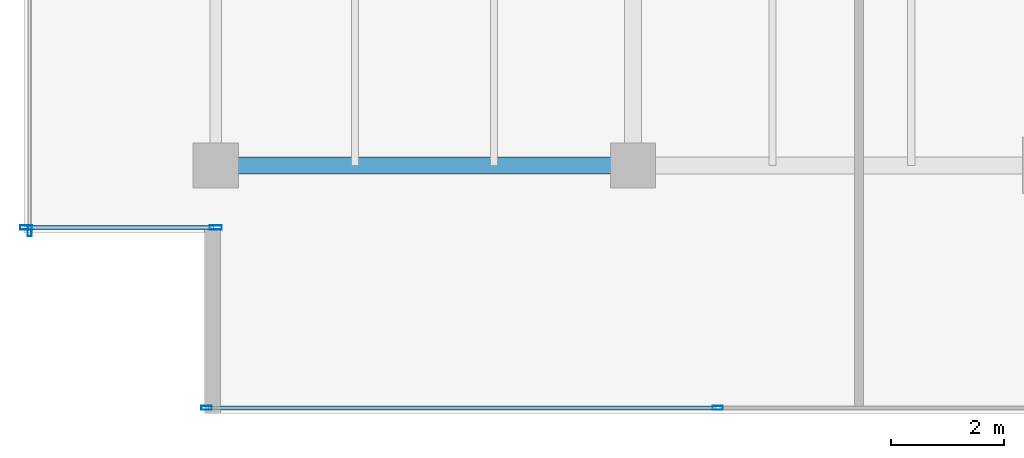
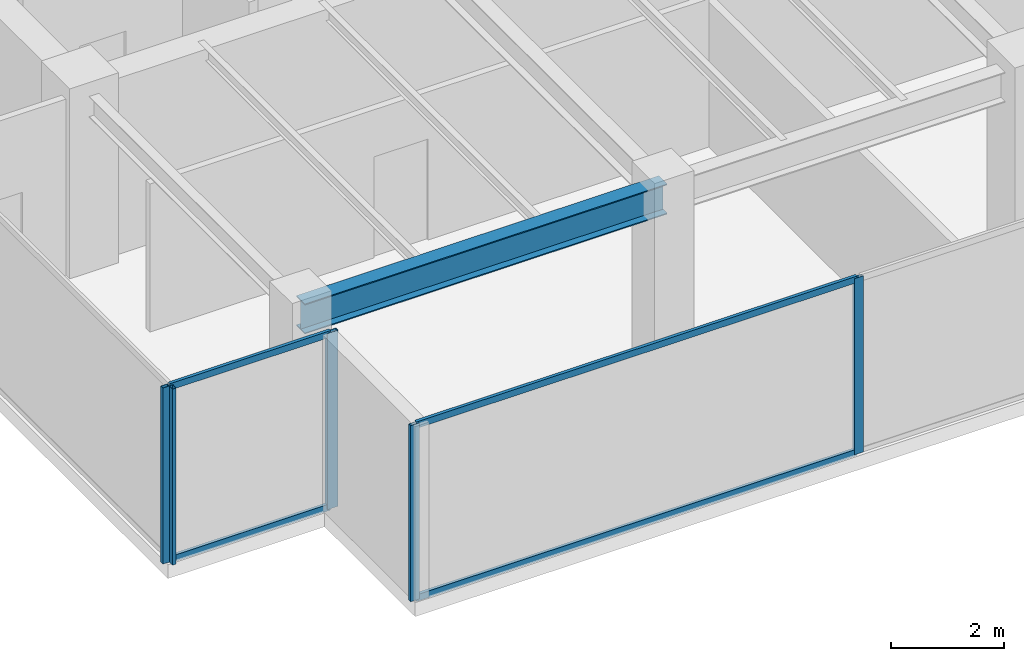
# One storey, part 5 of 33: 9 members, 1 beam, 3 elements without a shape of their own.
"""IFC4 building model written with IfcOpenShell, lengths in metres."""

from ifc_helpers import new_model, si_unit, direction, frame, origin, origin_2d, place, context, subcontext, project, spatial, hollow_rectangle, i_section, extrude, source, transform, mapped, material, layer, layer_set, material_profile, profile_set, type_object, type_shapes, element, aggregate, save


model = new_model("IFC4")

# Units and contexts
model_context = context("Model", 3, precision=1e-05, world=origin(), true_north=direction((0.0, 1.0)))
body_context = subcontext(model_context, "Body", "Model", "MODEL_VIEW")
ifc_project = project(units=[si_unit("LENGTHUNIT", "METRE"), si_unit("AREAUNIT", "SQUARE_METRE"), si_unit("VOLUMEUNIT", "CUBIC_METRE"), si_unit("PLANEANGLEUNIT", "RADIAN"), si_unit("MASSUNIT", "GRAM", prefix="KILO")], contexts=[model_context])

# Site, building, storey
site_placement = place(None, origin())
site = spatial("IfcSite", under=ifc_project, at=site_placement, CompositionType="ELEMENT")
building_placement = place(site_placement, origin())
building = spatial("IfcBuilding", under=site, at=building_placement, Name="Haelvirn Gate Laboratories", CompositionType="ELEMENT")
storey_placement = place(building_placement, frame((0.0, 0.0, 258.800048828125)))
storey = spatial("IfcBuildingStorey", under=building, at=storey_placement, Name="L62", CompositionType="ELEMENT", Elevation=258.800048828125)

# Beam
ifc_material_1 = material(Name="Steel SM355", Category="steel")
ifc_material_profile_1 = material_profile(ifc_material_1, i_section(OverallWidth=0.300048828125, OverallDepth=0.64990234375, WebThickness=0.012939453125, FlangeThickness=0.02197265625, at=origin_2d()), Name="H-650x300x13x22")
ifc_profile_set_1 = profile_set([ifc_material_profile_1], Name="Steel SM355")
beam_type = type_object("IfcBeamType", Name="BM-G-650", PredefinedType="BEAM", material=ifc_profile_set_1)
shared_shape_1 = source(origin(), body_context, "Body", "SweptSolid", [
    extrude(i_section(OverallWidth=0.300048828125, OverallDepth=0.64990234375, WebThickness=0.012939453125, FlangeThickness=0.02197265625, at=origin_2d()), origin(), (0.0, 0.0, 1.0), 7.400146484375),
])
type_shapes(beam_type, [shared_shape_1])
beam_placement = place(storey_placement, frame((7.39990234375, 7.0, 3.474853515625), z_axis=(1.0, 0.0, 0.0), x_axis=(0.0, 1.0, 0.0)))
element("IfcBeam", 1, at=beam_placement, inside=storey, type_object=beam_type, Name="L62 Primary Girder Y7.0 (7.4-14.8)", PredefinedType="BEAM", context=body_context, shape_type="MappedRepresentation", body=[
    mapped(shared_shape_1, transform((0.0, 0.0, 0.0), scale=1.0)),
])

# Curtain wall, members
ifc_material_2 = material(Name="Anodised bronze unitised aluminium & triple low-E glass", Category="aluminium")
ifc_layer_1 = layer(ifc_material_2, 0.181884765625, Name="CW-SYS-5")
ifc_layer_set_1 = layer_set([ifc_layer_1], Name="Anodised bronze unitised aluminium & triple low-E glass")
curtain_wall_type_1 = type_object("IfcCurtainWallType", Name="CW-SYS-5", PredefinedType="NOTDEFINED", material=ifc_layer_set_1)
curtain_wall_1_placement = place(storey_placement, origin())
curtain_wall_1 = element("IfcCurtainWall", 2, at=curtain_wall_1_placement, inside=storey, type_object=curtain_wall_type_1, Name="L62 Unitised Curtain Wall CW-L62-P0-E18-1", PredefinedType="NOTDEFINED")
ifc_material_3 = material(Name="Extruded aluminium 6063-T6 (anodised bronze)", Category="aluminium")
ifc_material_profile_2 = material_profile(ifc_material_3, hollow_rectangle(XDim=0.06494140625, YDim=0.139892578125, WallThickness=0.00390625, at=origin_2d()), Name="CWT-140x65x4")
ifc_profile_set_2 = profile_set([ifc_material_profile_2], Name="Extruded aluminium 6063-T6 (anodised bronze)")
member_type_1 = type_object("IfcMemberType", Name="CWT-T140", PredefinedType="USERDEFINED", material=ifc_profile_set_2)
shared_shape_2 = source(origin(), body_context, "Body", "SweptSolid", [
    extrude(hollow_rectangle(XDim=0.06494140625, YDim=0.139892578125, WallThickness=0.00390625, at=origin_2d()), origin(), (0.0, 0.0, 1.0), 3.280029296875),
])
member_1_placement = place(storey_placement, frame((4.080078125, 5.89990234375, 0.032470703125), z_axis=(1.0, 0.0, 0.0), x_axis=(0.0, 1.0, 0.0)))
member_1 = element("IfcMember", 3, at=member_1_placement, type_object=member_type_1, Name="CW5 transom 1.1", ObjectType="TRANSOM", PredefinedType="USERDEFINED", context=body_context, shape_type="MappedRepresentation", body=[
    mapped(shared_shape_2, transform((0.0, 0.0, 0.0), scale=1.0)),
])
member_2_placement = place(storey_placement, frame((4.080078125, 5.89990234375, 3.767333984375), z_axis=(1.0, 0.0, 0.0), x_axis=(0.0, 1.0, 0.0)))
member_2 = element("IfcMember", 4, at=member_2_placement, type_object=member_type_1, Name="CW5 transom 1.2", ObjectType="TRANSOM", PredefinedType="USERDEFINED", context=body_context, shape_type="MappedRepresentation", body=[
    mapped(shared_shape_2, transform((0.0, 0.0, 0.0), scale=1.0)),
])

ifc_layer_2 = layer(ifc_material_2, 0.176025390625, Name="CW-SYS-4")
ifc_layer_set_2 = layer_set([ifc_layer_2], Name="Anodised bronze unitised aluminium & triple low-E glass")
curtain_wall_type_2 = type_object("IfcCurtainWallType", Name="CW-SYS-4", PredefinedType="NOTDEFINED", material=ifc_layer_set_2)
curtain_wall_2_placement = place(storey_placement, origin())
curtain_wall_2 = element("IfcCurtainWall", 5, at=curtain_wall_2_placement, inside=storey, type_object=curtain_wall_type_2, Name="L62 Unitised Curtain Wall CW-L62-P0-E00-1", PredefinedType="NOTDEFINED")
ifc_material_profile_3 = material_profile(ifc_material_3, hollow_rectangle(XDim=0.070068359375, YDim=0.179931640625, WallThickness=0.0048828125, at=origin_2d()), Name="CWM-180x70x5")
ifc_profile_set_3 = profile_set([ifc_material_profile_3], Name="Extruded aluminium 6063-T6 (anodised bronze)")
member_type_2 = type_object("IfcMemberType", Name="CWM-T180", PredefinedType="MULLION", material=ifc_profile_set_3)
shared_shape_3 = source(origin(), body_context, "Body", "SweptSolid", [
    extrude(hollow_rectangle(XDim=0.070068359375, YDim=0.179931640625, WallThickness=0.0048828125, at=origin_2d()), origin(), (0.0, 0.0, 1.0), 3.800048828125),
])
type_shapes(member_type_2, [shared_shape_3])
member_3_placement = place(storey_placement, frame((7.235107421875, 2.699951171875, 0.0), z_axis=(0.0, 0.0, 1.0), x_axis=(0.0, 1.0, 0.0)))
member_3 = element("IfcMember", 6, at=member_3_placement, type_object=member_type_2, Name="CW4 mullion 1", PredefinedType="MULLION", context=body_context, shape_type="MappedRepresentation", body=[
    mapped(shared_shape_3, transform((0.0, 0.0, 0.0), scale=1.0)),
])
member_4_placement = place(storey_placement, frame((16.300048828125, 2.699951171875, 0.0), z_axis=(0.0, 0.0, 1.0), x_axis=(0.0, 1.0, 0.0)))
member_4 = element("IfcMember", 7, at=member_4_placement, type_object=member_type_2, Name="CW4 mullion 2", PredefinedType="MULLION", context=body_context, shape_type="MappedRepresentation", body=[
    mapped(shared_shape_3, transform((0.0, 0.0, 0.0), scale=1.0)),
])

# Curtain wall, member
curtain_wall_3_placement = place(storey_placement, origin())
curtain_wall_3 = element("IfcCurtainWall", 8, at=curtain_wall_3_placement, inside=storey, type_object=curtain_wall_type_2, Name="L62 Unitised Curtain Wall CW-L62-P0-E17", PredefinedType="NOTDEFINED")
member_5_placement = place(storey_placement, frame((4.10009765625, 5.8349609375, 0.0), z_axis=(0.0, 0.0, 1.0), x_axis=(1.0, 0.0, 0.0)))
member_5 = element("IfcMember", 9, at=member_5_placement, type_object=member_type_2, Name="CW4 mullion 3", PredefinedType="MULLION", context=body_context, shape_type="MappedRepresentation", body=[
    mapped(shared_shape_3, transform((0.0, 0.0, 0.0), scale=1.0)),
])
aggregate(curtain_wall_3, [member_5])

# Member
shared_shape_4 = source(origin(), body_context, "Body", "SweptSolid", [
    extrude(hollow_rectangle(XDim=0.06494140625, YDim=0.139892578125, WallThickness=0.00390625, at=origin_2d()), origin(), (0.0, 0.0, 1.0), 8.994873046875),
])
type_shapes(member_type_1, [shared_shape_2, shared_shape_4])
member_6_placement = place(storey_placement, frame((7.27001953125, 2.699951171875, 0.032470703125), z_axis=(1.0, 0.0, 0.0), x_axis=(0.0, 1.0, 0.0)))
member_6 = element("IfcMember", 10, at=member_6_placement, type_object=member_type_1, Name="CW4 transom 1.1", ObjectType="TRANSOM", PredefinedType="USERDEFINED", context=body_context, shape_type="MappedRepresentation", body=[
    mapped(shared_shape_4, transform((0.0, 0.0, 0.0), scale=1.0)),
])

member_7_placement = place(storey_placement, frame((7.27001953125, 2.699951171875, 3.767333984375), z_axis=(1.0, 0.0, 0.0), x_axis=(0.0, 1.0, 0.0)))
member_7 = element("IfcMember", 11, at=member_7_placement, type_object=member_type_1, Name="CW4 transom 1.2", ObjectType="TRANSOM", PredefinedType="USERDEFINED", context=body_context, shape_type="MappedRepresentation", body=[
    mapped(shared_shape_4, transform((0.0, 0.0, 0.0), scale=1.0)),
])

aggregate(curtain_wall_2, [member_3, member_4, member_6, member_7])

ifc_material_profile_4 = material_profile(ifc_material_3, hollow_rectangle(XDim=0.080078125, YDim=0.219970703125, WallThickness=0.006103515625, at=origin_2d()), Name="CWM-220x80x6")
ifc_profile_set_4 = profile_set([ifc_material_profile_4], Name="Extruded aluminium 6063-T6 (anodised bronze)")
member_type_3 = type_object("IfcMemberType", Name="CWM-T220", PredefinedType="MULLION", material=ifc_profile_set_4)
shared_shape_5 = source(origin(), body_context, "Body", "SweptSolid", [
    extrude(hollow_rectangle(XDim=0.080078125, YDim=0.219970703125, WallThickness=0.006103515625, at=origin_2d()), origin(), (0.0, 0.0, 1.0), 3.800048828125),
])
type_shapes(member_type_3, [shared_shape_5])
member_8_placement = place(storey_placement, frame((4.0400390625, 5.89990234375, 0.0), z_axis=(0.0, 0.0, 1.0), x_axis=(0.0, 1.0, 0.0)))
member_8 = element("IfcMember", 12, at=member_8_placement, type_object=member_type_3, Name="CW5 mullion 1", PredefinedType="MULLION", context=body_context, shape_type="MappedRepresentation", body=[
    mapped(shared_shape_5, transform((0.0, 0.0, 0.0), scale=1.0)),
])

member_9_placement = place(storey_placement, frame((7.39990234375, 5.89990234375, 0.0), z_axis=(0.0, 0.0, 1.0), x_axis=(0.0, 1.0, 0.0)))
member_9 = element("IfcMember", 13, at=member_9_placement, type_object=member_type_3, Name="CW5 mullion 2", PredefinedType="MULLION", context=body_context, shape_type="MappedRepresentation", body=[
    mapped(shared_shape_5, transform((0.0, 0.0, 0.0), scale=1.0)),
])

aggregate(curtain_wall_1, [member_8, member_9, member_1, member_2])

save(model, "model.ifc")
